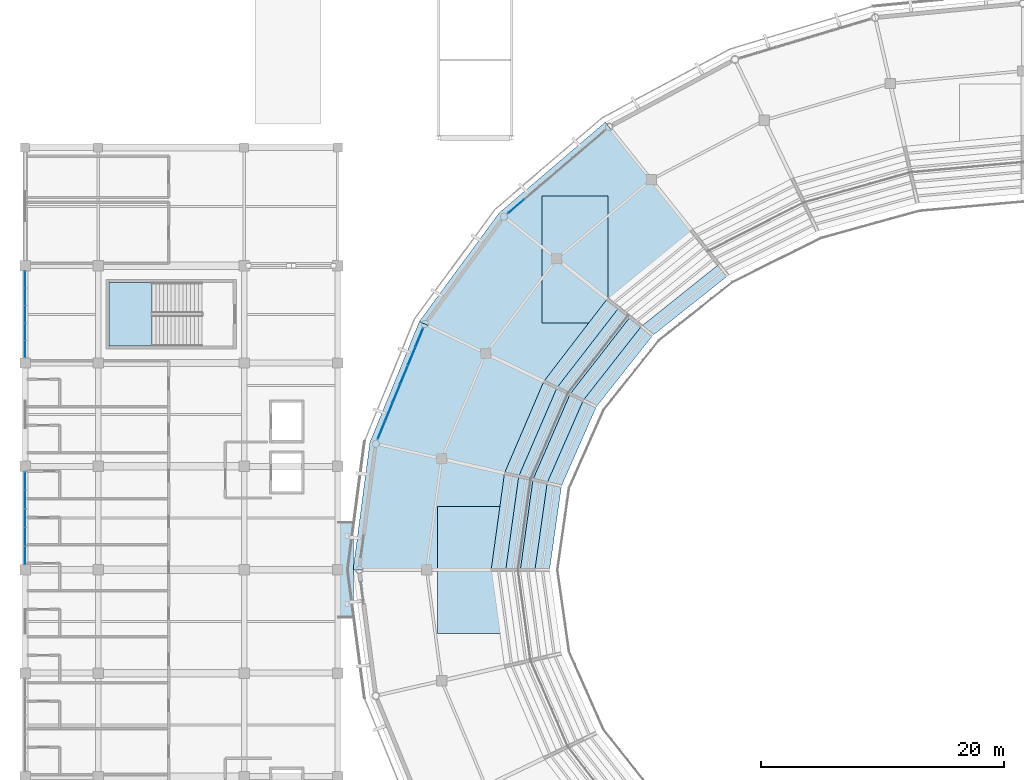
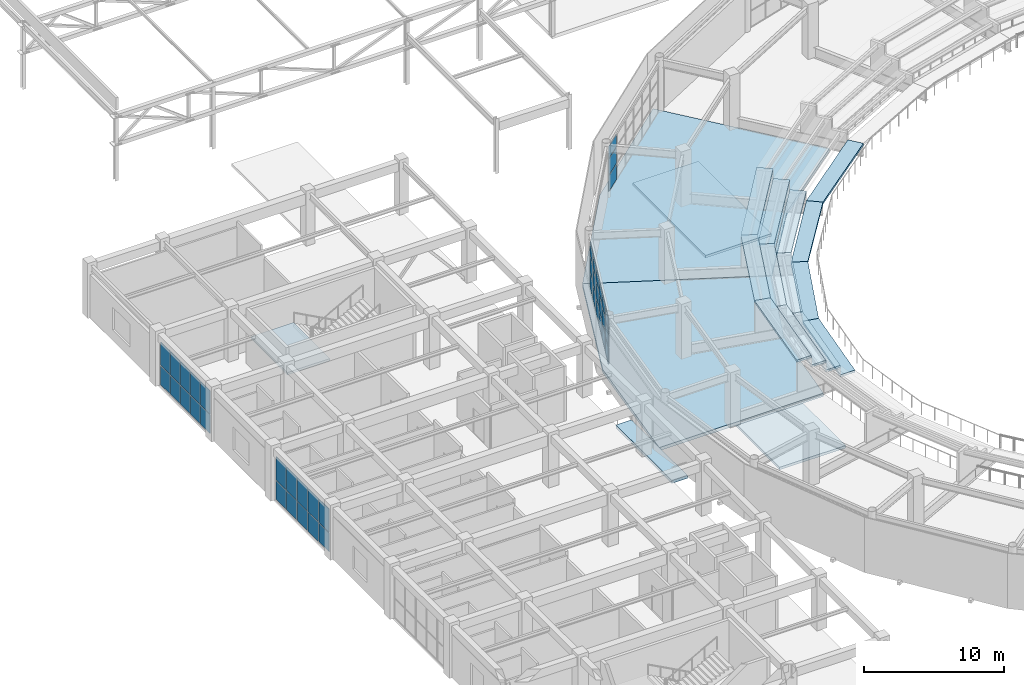
# One storey, part 83 of 122: 41 plates, 19 slabs, 5 elements without a shape of their own.
"""IFC4 building model written with IfcOpenShell, lengths in metres."""

from ifc_helpers import new_model, si_unit, direction, frame, origin, origin_2d, place, context, subcontext, project, spatial, polyline, rectangle, outline, extrude, material, layer, layer_set, type_object, element, aggregate, save


model = new_model("IFC4")

# Units and contexts
model_context = context("Model", 3, precision=1e-05, world=origin(), true_north=direction((0.0, 1.0)))
body_context = subcontext(model_context, "Body", "Model", "MODEL_VIEW")
ifc_project = project(units=[si_unit("LENGTHUNIT", "METRE"), si_unit("AREAUNIT", "SQUARE_METRE"), si_unit("VOLUMEUNIT", "CUBIC_METRE"), si_unit("PLANEANGLEUNIT", "RADIAN"), si_unit("MASSUNIT", "GRAM", prefix="KILO")], contexts=[model_context])

# Site, building, storey
site_placement = place(None, origin())
site = spatial("IfcSite", under=ifc_project, at=site_placement, CompositionType="ELEMENT")
building_placement = place(site_placement, origin())
building = spatial("IfcBuilding", under=site, at=building_placement, Name="Cuetzalor Civic Arena", CompositionType="ELEMENT")
storey_placement = place(building_placement, frame((0.0, 0.0, 16.199951171875)))
storey = spatial("IfcBuildingStorey", under=building, at=storey_placement, Name="L03", CompositionType="ELEMENT", Elevation=16.199951171875)

# Curtain wall, plates
ifc_material_1 = material(Name="Anodised dark bronze aluminium and low-E solar glass", Category="aluminium")
curtain_wall_type_1 = type_object("IfcCurtainWallType", Name="UnitisedCW_10550x4050", PredefinedType="USERDEFINED", material=ifc_material_1)
curtain_wall_1_placement = place(storey_placement, origin())
curtain_wall_1 = element("IfcCurtainWall", 1, at=curtain_wall_1_placement, inside=storey, type_object=curtain_wall_type_1, Name="Drum Triangle Foyer Curtain Wall L03-049", ObjectType="UNITISED CURTAIN WALL", PredefinedType="USERDEFINED")
ifc_material_2 = material(Name="Acoustic laminated solar control glass", Category="glass")
ifc_layer_1 = layer(ifc_material_2, 0.0439453125)
ifc_layer_set_1 = layer_set([ifc_layer_1], Name="Acoustic laminated solar control glass")
plate_type = type_object("IfcPlateType", Name="AcousticTripleGlazedPanel_44", PredefinedType="CURTAIN_PANEL", material=ifc_layer_set_1)
plate_1_placement = place(storey_placement, frame((-41.655517578125, 29.87109375, 0.06494140625), z_axis=(0.0, 0.0, 1.0), x_axis=(0.760677142663, 0.64913040649, 0.0)))
plate_1 = element("IfcPlate", 2, at=plate_1_placement, type_object=plate_type, Name="CW-16 panel 1.1", PredefinedType="CURTAIN_PANEL", context=body_context, shape_type="SweptSolid", body=[
    extrude(rectangle(XDim=1.65771484375, YDim=0.0439453125, at=origin_2d()), origin(), (0.0, 0.0, 1.0), 1.361572265625),
])
plate_2_placement = place(storey_placement, frame((-41.655517578125, 29.87109375, 1.491455078125), z_axis=(0.0, 0.0, 1.0), x_axis=(0.760677142663, 0.64913040649, 0.0)))
plate_2 = element("IfcPlate", 3, at=plate_2_placement, type_object=plate_type, Name="CW-16 panel 1.2", PredefinedType="CURTAIN_PANEL", context=body_context, shape_type="SweptSolid", body=[
    extrude(rectangle(XDim=1.65771484375, YDim=0.0439453125, at=origin_2d()), origin(), (0.0, 0.0, 1.0), 1.39404296875),
])
plate_3_placement = place(storey_placement, frame((-41.655517578125, 29.87109375, 2.950439453125), z_axis=(0.0, 0.0, 1.0), x_axis=(0.760677142663, 0.64913040649, 0.0)))
plate_3 = element("IfcPlate", 4, at=plate_3_placement, type_object=plate_type, Name="CW-16 panel 1.3", PredefinedType="CURTAIN_PANEL", context=body_context, shape_type="SweptSolid", body=[
    extrude(rectangle(XDim=1.65771484375, YDim=0.0439453125, at=origin_2d()), origin(), (0.0, 0.0, 1.0), 1.03759765625),
])
aggregate(curtain_wall_1, [plate_1, plate_2, plate_3])

ifc_material_3 = material(Name="Anodised dark bronze aluminium and low-E solar glass", Category="aluminium")
curtain_wall_type_2 = type_object("IfcCurtainWallType", Name="UnitisedCW_9850x4050", PredefinedType="USERDEFINED", material=ifc_material_3)
curtain_wall_2_placement = place(storey_placement, origin())
curtain_wall_2 = element("IfcCurtainWall", 5, at=curtain_wall_2_placement, inside=storey, type_object=curtain_wall_type_2, Name="Drum Triangle Foyer Curtain Wall L03-050", ObjectType="UNITISED CURTAIN WALL", PredefinedType="USERDEFINED")
plate_4_placement = place(storey_placement, frame((-52.719970703125, 11.486083984375, 0.06494140625), z_axis=(0.0, 0.0, 1.0), x_axis=(0.379391428583, 0.925236263836, 0.0)))
plate_4 = element("IfcPlate", 6, at=plate_4_placement, type_object=plate_type, Name="CW-17 panel 1.1", PredefinedType="CURTAIN_PANEL", context=body_context, shape_type="SweptSolid", body=[
    extrude(rectangle(XDim=1.548095703125, YDim=0.0439453125, at=origin_2d()), origin(), (0.0, 0.0, 1.0), 1.361572265625),
])
plate_5_placement = place(storey_placement, frame((-52.719970703125, 11.486083984375, 1.491455078125), z_axis=(0.0, 0.0, 1.0), x_axis=(0.379391428583, 0.925236263836, 0.0)))
plate_5 = element("IfcPlate", 7, at=plate_5_placement, type_object=plate_type, Name="CW-17 panel 1.2", PredefinedType="CURTAIN_PANEL", context=body_context, shape_type="SweptSolid", body=[
    extrude(rectangle(XDim=1.548095703125, YDim=0.0439453125, at=origin_2d()), origin(), (0.0, 0.0, 1.0), 1.39404296875),
])
plate_6_placement = place(storey_placement, frame((-52.719970703125, 11.486083984375, 2.950439453125), z_axis=(0.0, 0.0, 1.0), x_axis=(0.379391428583, 0.925236263836, 0.0)))
plate_6 = element("IfcPlate", 8, at=plate_6_placement, type_object=plate_type, Name="CW-17 panel 1.3", PredefinedType="CURTAIN_PANEL", context=body_context, shape_type="SweptSolid", body=[
    extrude(rectangle(XDim=1.548095703125, YDim=0.0439453125, at=origin_2d()), origin(), (0.0, 0.0, 1.0), 1.03759765625),
])
plate_7_placement = place(storey_placement, frame((-52.1015625, 12.993896484375, 0.06494140625), z_axis=(0.0, 0.0, 1.0), x_axis=(0.379391428583, 0.925236263836, 0.0)))
plate_7 = element("IfcPlate", 9, at=plate_7_placement, type_object=plate_type, Name="CW-17 panel 2.1", PredefinedType="CURTAIN_PANEL", context=body_context, shape_type="SweptSolid", body=[
    extrude(rectangle(XDim=1.580810546875, YDim=0.0439453125, at=origin_2d()), origin(), (0.0, 0.0, 1.0), 1.361572265625),
])
plate_8_placement = place(storey_placement, frame((-52.1015625, 12.993896484375, 1.491455078125), z_axis=(0.0, 0.0, 1.0), x_axis=(0.379391428583, 0.925236263836, 0.0)))
plate_8 = element("IfcPlate", 10, at=plate_8_placement, type_object=plate_type, Name="CW-17 panel 2.2", PredefinedType="CURTAIN_PANEL", context=body_context, shape_type="SweptSolid", body=[
    extrude(rectangle(XDim=1.580810546875, YDim=0.0439453125, at=origin_2d()), origin(), (0.0, 0.0, 1.0), 1.39404296875),
])
plate_9_placement = place(storey_placement, frame((-52.1015625, 12.993896484375, 2.950439453125), z_axis=(0.0, 0.0, 1.0), x_axis=(0.379391428583, 0.925236263836, 0.0)))
plate_9 = element("IfcPlate", 11, at=plate_9_placement, type_object=plate_type, Name="CW-17 panel 2.3", PredefinedType="CURTAIN_PANEL", context=body_context, shape_type="SweptSolid", body=[
    extrude(rectangle(XDim=1.580810546875, YDim=0.0439453125, at=origin_2d()), origin(), (0.0, 0.0, 1.0), 1.03759765625),
])
plate_10_placement = place(storey_placement, frame((-51.477294921875, 14.516357421875, 0.06494140625), z_axis=(0.0, 0.0, 1.0), x_axis=(0.379391428583, 0.925236263836, 0.0)))
plate_10 = element("IfcPlate", 12, at=plate_10_placement, type_object=plate_type, Name="CW-17 panel 3.1", PredefinedType="CURTAIN_PANEL", context=body_context, shape_type="SweptSolid", body=[
    extrude(rectangle(XDim=1.580810546875, YDim=0.0439453125, at=origin_2d()), origin(), (0.0, 0.0, 1.0), 1.361572265625),
])
plate_11_placement = place(storey_placement, frame((-51.477294921875, 14.516357421875, 1.491455078125), z_axis=(0.0, 0.0, 1.0), x_axis=(0.379391428583, 0.925236263836, 0.0)))
plate_11 = element("IfcPlate", 13, at=plate_11_placement, type_object=plate_type, Name="CW-17 panel 3.2", PredefinedType="CURTAIN_PANEL", context=body_context, shape_type="SweptSolid", body=[
    extrude(rectangle(XDim=1.580810546875, YDim=0.0439453125, at=origin_2d()), origin(), (0.0, 0.0, 1.0), 1.39404296875),
])
plate_12_placement = place(storey_placement, frame((-51.477294921875, 14.516357421875, 2.950439453125), z_axis=(0.0, 0.0, 1.0), x_axis=(0.379391428583, 0.925236263836, 0.0)))
plate_12 = element("IfcPlate", 14, at=plate_12_placement, type_object=plate_type, Name="CW-17 panel 3.3", PredefinedType="CURTAIN_PANEL", context=body_context, shape_type="SweptSolid", body=[
    extrude(rectangle(XDim=1.580810546875, YDim=0.0439453125, at=origin_2d()), origin(), (0.0, 0.0, 1.0), 1.03759765625),
])
plate_13_placement = place(storey_placement, frame((-50.85302734375, 16.0390625, 0.06494140625), z_axis=(0.0, 0.0, 1.0), x_axis=(0.379391428583, 0.925236263836, 0.0)))
plate_13 = element("IfcPlate", 15, at=plate_13_placement, type_object=plate_type, Name="CW-17 panel 4.1", PredefinedType="CURTAIN_PANEL", context=body_context, shape_type="SweptSolid", body=[
    extrude(rectangle(XDim=1.580810546875, YDim=0.0439453125, at=origin_2d()), origin(), (0.0, 0.0, 1.0), 1.361572265625),
])
plate_14_placement = place(storey_placement, frame((-50.85302734375, 16.0390625, 1.491455078125), z_axis=(0.0, 0.0, 1.0), x_axis=(0.379391428583, 0.925236263836, 0.0)))
plate_14 = element("IfcPlate", 16, at=plate_14_placement, type_object=plate_type, Name="CW-17 panel 4.2", PredefinedType="CURTAIN_PANEL", context=body_context, shape_type="SweptSolid", body=[
    extrude(rectangle(XDim=1.580810546875, YDim=0.0439453125, at=origin_2d()), origin(), (0.0, 0.0, 1.0), 1.39404296875),
])
plate_15_placement = place(storey_placement, frame((-50.85302734375, 16.0390625, 2.950439453125), z_axis=(0.0, 0.0, 1.0), x_axis=(0.379391428583, 0.925236263836, 0.0)))
plate_15 = element("IfcPlate", 17, at=plate_15_placement, type_object=plate_type, Name="CW-17 panel 4.3", PredefinedType="CURTAIN_PANEL", context=body_context, shape_type="SweptSolid", body=[
    extrude(rectangle(XDim=1.580810546875, YDim=0.0439453125, at=origin_2d()), origin(), (0.0, 0.0, 1.0), 1.03759765625),
])
plate_16_placement = place(storey_placement, frame((-50.228515625, 17.561767578125, 0.06494140625), z_axis=(0.0, 0.0, 1.0), x_axis=(0.379391428583, 0.925236263836, 0.0)))
plate_16 = element("IfcPlate", 18, at=plate_16_placement, type_object=plate_type, Name="CW-17 panel 5.1", PredefinedType="CURTAIN_PANEL", context=body_context, shape_type="SweptSolid", body=[
    extrude(rectangle(XDim=1.580810546875, YDim=0.0439453125, at=origin_2d()), origin(), (0.0, 0.0, 1.0), 1.361572265625),
])
plate_17_placement = place(storey_placement, frame((-50.228515625, 17.561767578125, 1.491455078125), z_axis=(0.0, 0.0, 1.0), x_axis=(0.379391428583, 0.925236263836, 0.0)))
plate_17 = element("IfcPlate", 19, at=plate_17_placement, type_object=plate_type, Name="CW-17 panel 5.2", PredefinedType="CURTAIN_PANEL", context=body_context, shape_type="SweptSolid", body=[
    extrude(rectangle(XDim=1.580810546875, YDim=0.0439453125, at=origin_2d()), origin(), (0.0, 0.0, 1.0), 1.39404296875),
])
plate_18_placement = place(storey_placement, frame((-50.228515625, 17.561767578125, 2.950439453125), z_axis=(0.0, 0.0, 1.0), x_axis=(0.379391428583, 0.925236263836, 0.0)))
plate_18 = element("IfcPlate", 20, at=plate_18_placement, type_object=plate_type, Name="CW-17 panel 5.3", PredefinedType="CURTAIN_PANEL", context=body_context, shape_type="SweptSolid", body=[
    extrude(rectangle(XDim=1.580810546875, YDim=0.0439453125, at=origin_2d()), origin(), (0.0, 0.0, 1.0), 1.03759765625),
])
plate_19_placement = place(storey_placement, frame((-49.6103515625, 19.0693359375, 0.06494140625), z_axis=(0.0, 0.0, 1.0), x_axis=(0.379391428583, 0.925236263836, 0.0)))
plate_19 = element("IfcPlate", 21, at=plate_19_placement, type_object=plate_type, Name="CW-17 panel 6.1", PredefinedType="CURTAIN_PANEL", context=body_context, shape_type="SweptSolid", body=[
    extrude(rectangle(XDim=1.548095703125, YDim=0.0439453125, at=origin_2d()), origin(), (0.0, 0.0, 1.0), 1.361572265625),
])
plate_20_placement = place(storey_placement, frame((-49.6103515625, 19.0693359375, 1.491455078125), z_axis=(0.0, 0.0, 1.0), x_axis=(0.379391428583, 0.925236263836, 0.0)))
plate_20 = element("IfcPlate", 22, at=plate_20_placement, type_object=plate_type, Name="CW-17 panel 6.2", PredefinedType="CURTAIN_PANEL", context=body_context, shape_type="SweptSolid", body=[
    extrude(rectangle(XDim=1.548095703125, YDim=0.0439453125, at=origin_2d()), origin(), (0.0, 0.0, 1.0), 1.39404296875),
])
plate_21_placement = place(storey_placement, frame((-49.6103515625, 19.0693359375, 2.950439453125), z_axis=(0.0, 0.0, 1.0), x_axis=(0.379391428583, 0.925236263836, 0.0)))
plate_21 = element("IfcPlate", 23, at=plate_21_placement, type_object=plate_type, Name="CW-17 panel 6.3", PredefinedType="CURTAIN_PANEL", context=body_context, shape_type="SweptSolid", body=[
    extrude(rectangle(XDim=1.548095703125, YDim=0.0439453125, at=origin_2d()), origin(), (0.0, 0.0, 1.0), 1.03759765625),
])
aggregate(curtain_wall_2, [plate_4, plate_5, plate_6, plate_7, plate_8, plate_9, plate_10, plate_11, plate_12, plate_13, plate_14, plate_15, plate_16, plate_17, plate_18, plate_19, plate_20, plate_21])

ifc_material_4 = material(Name="Anodised dark bronze aluminium and low-E solar glass", Category="aluminium")
curtain_wall_type_3 = type_object("IfcCurtainWallType", Name="UnitisedCW_7700x3850", PredefinedType="USERDEFINED", material=ifc_material_4)
curtain_wall_3_placement = place(storey_placement, origin())
curtain_wall_3 = element("IfcCurtainWall", 24, at=curtain_wall_3_placement, inside=storey, type_object=curtain_wall_type_3, Name="V4W Suite Viewing Curtain Wall L03-121", ObjectType="UNITISED CURTAIN WALL", PredefinedType="USERDEFINED")
plate_22_placement = place(storey_placement, frame((-82.0, 1.19189453125, 0.06494140625), z_axis=(0.0, 0.0, 1.0), x_axis=(0.0, 1.0, 0.0)))
plate_22 = element("IfcPlate", 25, at=plate_22_placement, type_object=plate_type, Name="CW-42 panel 1.1", PredefinedType="CURTAIN_PANEL", context=body_context, shape_type="SweptSolid", body=[
    extrude(rectangle(XDim=1.439697265625, YDim=0.0439453125, at=origin_2d()), origin(), (0.0, 0.0, 1.0), 1.639404296875),
])
plate_23_placement = place(storey_placement, frame((-82.0, 1.19189453125, 1.76953125), z_axis=(0.0, 0.0, 1.0), x_axis=(0.0, 1.0, 0.0)))
plate_23 = element("IfcPlate", 26, at=plate_23_placement, type_object=plate_type, Name="CW-42 panel 1.2", PredefinedType="CURTAIN_PANEL", context=body_context, shape_type="SweptSolid", body=[
    extrude(rectangle(XDim=1.439697265625, YDim=0.0439453125, at=origin_2d()), origin(), (0.0, 0.0, 1.0), 2.025390625),
])
plate_24_placement = place(storey_placement, frame((-82.0, 2.712890625, 0.06494140625), z_axis=(0.0, 0.0, 1.0), x_axis=(0.0, 1.0, 0.0)))
plate_24 = element("IfcPlate", 27, at=plate_24_placement, type_object=plate_type, Name="CW-42 panel 2.1", PredefinedType="CURTAIN_PANEL", context=body_context, shape_type="SweptSolid", body=[
    extrude(rectangle(XDim=1.47216796875, YDim=0.0439453125, at=origin_2d()), origin(), (0.0, 0.0, 1.0), 1.639404296875),
])
plate_25_placement = place(storey_placement, frame((-82.0, 2.712890625, 1.76953125), z_axis=(0.0, 0.0, 1.0), x_axis=(0.0, 1.0, 0.0)))
plate_25 = element("IfcPlate", 28, at=plate_25_placement, type_object=plate_type, Name="CW-42 panel 2.2", PredefinedType="CURTAIN_PANEL", context=body_context, shape_type="SweptSolid", body=[
    extrude(rectangle(XDim=1.47216796875, YDim=0.0439453125, at=origin_2d()), origin(), (0.0, 0.0, 1.0), 2.025390625),
])
plate_26_placement = place(storey_placement, frame((-82.0, 4.25, 0.06494140625), z_axis=(0.0, 0.0, 1.0), x_axis=(0.0, 1.0, 0.0)))
plate_26 = element("IfcPlate", 29, at=plate_26_placement, type_object=plate_type, Name="CW-42 panel 3.1", PredefinedType="CURTAIN_PANEL", context=body_context, shape_type="SweptSolid", body=[
    extrude(rectangle(XDim=1.47216796875, YDim=0.0439453125, at=origin_2d()), origin(), (0.0, 0.0, 1.0), 1.639404296875),
])
plate_27_placement = place(storey_placement, frame((-82.0, 4.25, 1.76953125), z_axis=(0.0, 0.0, 1.0), x_axis=(0.0, 1.0, 0.0)))
plate_27 = element("IfcPlate", 30, at=plate_27_placement, type_object=plate_type, Name="CW-42 panel 3.2", PredefinedType="CURTAIN_PANEL", context=body_context, shape_type="SweptSolid", body=[
    extrude(rectangle(XDim=1.47216796875, YDim=0.0439453125, at=origin_2d()), origin(), (0.0, 0.0, 1.0), 2.025390625),
])
plate_28_placement = place(storey_placement, frame((-82.0, 5.787109375, 0.06494140625), z_axis=(0.0, 0.0, 1.0), x_axis=(0.0, 1.0, 0.0)))
plate_28 = element("IfcPlate", 31, at=plate_28_placement, type_object=plate_type, Name="CW-42 panel 4.1", PredefinedType="CURTAIN_PANEL", context=body_context, shape_type="SweptSolid", body=[
    extrude(rectangle(XDim=1.47216796875, YDim=0.0439453125, at=origin_2d()), origin(), (0.0, 0.0, 1.0), 1.639404296875),
])
plate_29_placement = place(storey_placement, frame((-82.0, 5.787109375, 1.76953125), z_axis=(0.0, 0.0, 1.0), x_axis=(0.0, 1.0, 0.0)))
plate_29 = element("IfcPlate", 32, at=plate_29_placement, type_object=plate_type, Name="CW-42 panel 4.2", PredefinedType="CURTAIN_PANEL", context=body_context, shape_type="SweptSolid", body=[
    extrude(rectangle(XDim=1.47216796875, YDim=0.0439453125, at=origin_2d()), origin(), (0.0, 0.0, 1.0), 2.025390625),
])
plate_30_placement = place(storey_placement, frame((-82.0, 7.30810546875, 0.06494140625), z_axis=(0.0, 0.0, 1.0), x_axis=(0.0, 1.0, 0.0)))
plate_30 = element("IfcPlate", 33, at=plate_30_placement, type_object=plate_type, Name="CW-42 panel 5.1", PredefinedType="CURTAIN_PANEL", context=body_context, shape_type="SweptSolid", body=[
    extrude(rectangle(XDim=1.439697265625, YDim=0.0439453125, at=origin_2d()), origin(), (0.0, 0.0, 1.0), 1.639404296875),
])
plate_31_placement = place(storey_placement, frame((-82.0, 7.30810546875, 1.76953125), z_axis=(0.0, 0.0, 1.0), x_axis=(0.0, 1.0, 0.0)))
plate_31 = element("IfcPlate", 34, at=plate_31_placement, type_object=plate_type, Name="CW-42 panel 5.2", PredefinedType="CURTAIN_PANEL", context=body_context, shape_type="SweptSolid", body=[
    extrude(rectangle(XDim=1.439697265625, YDim=0.0439453125, at=origin_2d()), origin(), (0.0, 0.0, 1.0), 2.025390625),
])
aggregate(curtain_wall_3, [plate_22, plate_23, plate_24, plate_25, plate_26, plate_27, plate_28, plate_29, plate_30, plate_31])

ifc_material_5 = material(Name="Anodised dark bronze aluminium and low-E solar glass", Category="aluminium")
curtain_wall_type_4 = type_object("IfcCurtainWallType", Name="UnitisedCW_7200x3850", PredefinedType="USERDEFINED", material=ifc_material_5)
curtain_wall_4_placement = place(storey_placement, origin())
curtain_wall_4 = element("IfcCurtainWall", 35, at=curtain_wall_4_placement, inside=storey, type_object=curtain_wall_type_4, Name="V4W Suite Viewing Curtain Wall L03-122", ObjectType="UNITISED CURTAIN WALL", PredefinedType="USERDEFINED")
plate_32_placement = place(storey_placement, frame((-82.0, 18.141845703125, 0.06494140625), z_axis=(0.0, 0.0, 1.0), x_axis=(0.0, 1.0, 0.0)))
plate_32 = element("IfcPlate", 36, at=plate_32_placement, type_object=plate_type, Name="CW-41 panel 1.1", PredefinedType="CURTAIN_PANEL", context=body_context, shape_type="SweptSolid", body=[
    extrude(rectangle(XDim=1.339599609375, YDim=0.0439453125, at=origin_2d()), origin(), (0.0, 0.0, 1.0), 1.639404296875),
])
plate_33_placement = place(storey_placement, frame((-82.0, 18.141845703125, 1.76953125), z_axis=(0.0, 0.0, 1.0), x_axis=(0.0, 1.0, 0.0)))
plate_33 = element("IfcPlate", 37, at=plate_33_placement, type_object=plate_type, Name="CW-41 panel 1.2", PredefinedType="CURTAIN_PANEL", context=body_context, shape_type="SweptSolid", body=[
    extrude(rectangle(XDim=1.339599609375, YDim=0.0439453125, at=origin_2d()), origin(), (0.0, 0.0, 1.0), 2.025390625),
])
plate_34_placement = place(storey_placement, frame((-82.0, 19.562744140625, 0.06494140625), z_axis=(0.0, 0.0, 1.0), x_axis=(0.0, 1.0, 0.0)))
plate_34 = element("IfcPlate", 38, at=plate_34_placement, type_object=plate_type, Name="CW-41 panel 2.1", PredefinedType="CURTAIN_PANEL", context=body_context, shape_type="SweptSolid", body=[
    extrude(rectangle(XDim=1.372314453125, YDim=0.0439453125, at=origin_2d()), origin(), (0.0, 0.0, 1.0), 1.639404296875),
])
plate_35_placement = place(storey_placement, frame((-82.0, 19.562744140625, 1.76953125), z_axis=(0.0, 0.0, 1.0), x_axis=(0.0, 1.0, 0.0)))
plate_35 = element("IfcPlate", 39, at=plate_35_placement, type_object=plate_type, Name="CW-41 panel 2.2", PredefinedType="CURTAIN_PANEL", context=body_context, shape_type="SweptSolid", body=[
    extrude(rectangle(XDim=1.372314453125, YDim=0.0439453125, at=origin_2d()), origin(), (0.0, 0.0, 1.0), 2.025390625),
])
plate_36_placement = place(storey_placement, frame((-82.0, 21.0, 0.06494140625), z_axis=(0.0, 0.0, 1.0), x_axis=(0.0, 1.0, 0.0)))
plate_36 = element("IfcPlate", 40, at=plate_36_placement, type_object=plate_type, Name="CW-41 panel 3.1", PredefinedType="CURTAIN_PANEL", context=body_context, shape_type="SweptSolid", body=[
    extrude(rectangle(XDim=1.372314453125, YDim=0.0439453125, at=origin_2d()), origin(), (0.0, 0.0, 1.0), 1.639404296875),
])
plate_37_placement = place(storey_placement, frame((-82.0, 21.0, 1.76953125), z_axis=(0.0, 0.0, 1.0), x_axis=(0.0, 1.0, 0.0)))
plate_37 = element("IfcPlate", 41, at=plate_37_placement, type_object=plate_type, Name="CW-41 panel 3.2", PredefinedType="CURTAIN_PANEL", context=body_context, shape_type="SweptSolid", body=[
    extrude(rectangle(XDim=1.372314453125, YDim=0.0439453125, at=origin_2d()), origin(), (0.0, 0.0, 1.0), 2.025390625),
])
plate_38_placement = place(storey_placement, frame((-82.0, 22.437255859375, 0.06494140625), z_axis=(0.0, 0.0, 1.0), x_axis=(0.0, 1.0, 0.0)))
plate_38 = element("IfcPlate", 42, at=plate_38_placement, type_object=plate_type, Name="CW-41 panel 4.1", PredefinedType="CURTAIN_PANEL", context=body_context, shape_type="SweptSolid", body=[
    extrude(rectangle(XDim=1.372314453125, YDim=0.0439453125, at=origin_2d()), origin(), (0.0, 0.0, 1.0), 1.639404296875),
])
plate_39_placement = place(storey_placement, frame((-82.0, 22.437255859375, 1.76953125), z_axis=(0.0, 0.0, 1.0), x_axis=(0.0, 1.0, 0.0)))
plate_39 = element("IfcPlate", 43, at=plate_39_placement, type_object=plate_type, Name="CW-41 panel 4.2", PredefinedType="CURTAIN_PANEL", context=body_context, shape_type="SweptSolid", body=[
    extrude(rectangle(XDim=1.372314453125, YDim=0.0439453125, at=origin_2d()), origin(), (0.0, 0.0, 1.0), 2.025390625),
])
plate_40_placement = place(storey_placement, frame((-82.0, 23.858154296875, 0.06494140625), z_axis=(0.0, 0.0, 1.0), x_axis=(0.0, 1.0, 0.0)))
plate_40 = element("IfcPlate", 44, at=plate_40_placement, type_object=plate_type, Name="CW-41 panel 5.1", PredefinedType="CURTAIN_PANEL", context=body_context, shape_type="SweptSolid", body=[
    extrude(rectangle(XDim=1.339599609375, YDim=0.0439453125, at=origin_2d()), origin(), (0.0, 0.0, 1.0), 1.639404296875),
])
plate_41_placement = place(storey_placement, frame((-82.0, 23.858154296875, 1.76953125), z_axis=(0.0, 0.0, 1.0), x_axis=(0.0, 1.0, 0.0)))
plate_41 = element("IfcPlate", 45, at=plate_41_placement, type_object=plate_type, Name="CW-41 panel 5.2", PredefinedType="CURTAIN_PANEL", context=body_context, shape_type="SweptSolid", body=[
    extrude(rectangle(XDim=1.339599609375, YDim=0.0439453125, at=origin_2d()), origin(), (0.0, 0.0, 1.0), 2.025390625),
])
aggregate(curtain_wall_4, [plate_32, plate_33, plate_34, plate_35, plate_36, plate_37, plate_38, plate_39, plate_40, plate_41])

# Slabs
ifc_material_6 = material(Name="Concrete C40/50", Category="concrete")
ifc_layer_2 = layer(ifc_material_6, 0.260009765625)
ifc_layer_set_2 = layer_set([ifc_layer_2], Name="Concrete C40/50")
slab_type_1 = type_object("IfcSlabType", Name="BridgeDeckSlab_260", PredefinedType="FLOOR", material=ifc_layer_set_2)
slab_1_placement = place(storey_placement, frame((0.0, 0.0, -0.260009765625)))
element("IfcSlab", 46, at=slab_1_placement, inside=storey, type_object=slab_type_1, Name="Seismic Joint Circulation Bridge V4W L03", PredefinedType="FLOOR", context=body_context, shape_type="SweptSolid", body=[
    extrude(outline(polyline([(-56.320068359375, -4.0), (-55.030029296875, -4.0), (-55.030029296875, 4.0), (-56.320068359375, 4.0), (-56.320068359375, -4.0)])), origin(), (0.0, 0.0, 1.0), 0.260009765625),
])
ifc_material_7 = material(Name="Concrete C40/50", Category="concrete")
ifc_layer_3 = layer(ifc_material_7, 0.219970703125)
ifc_layer_set_3 = layer_set([ifc_layer_3], Name="Concrete C40/50")
slab_type_2 = type_object("IfcSlabType", Name="LiftShaftRoofCapSlab_220", PredefinedType="ROOF", material=ifc_layer_set_3)
slab_2_placement = place(storey_placement, frame((0.0, 0.0, -1.199951171875)))
element("IfcSlab", 47, at=slab_2_placement, inside=storey, type_object=slab_type_2, Name="Stair Core Enclosure Cap Slab ST-04", PredefinedType="ROOF", context=body_context, shape_type="SweptSolid", body=[
    extrude(outline(polyline([(-39.52001953125, 20.280029296875), (-34.080078125, 20.280029296875), (-34.080078125, 30.719970703125), (-39.52001953125, 30.719970703125), (-39.52001953125, 20.280029296875)])), origin(), (0.0, 0.0, 1.0), 0.219970703125),
])
slab_3_placement = place(storey_placement, frame((0.0, 0.0, -1.199951171875)))
element("IfcSlab", 48, at=slab_3_placement, inside=storey, type_object=slab_type_2, Name="Stair Core Enclosure Cap Slab ST-05", PredefinedType="ROOF", context=body_context, shape_type="SweptSolid", body=[
    extrude(outline(polyline([(-48.1201171875, -5.219970703125), (-42.679931640625, -5.219970703125), (-42.679931640625, 5.219970703125), (-48.1201171875, 5.219970703125), (-48.1201171875, -5.219970703125)])), origin(), (0.0, 0.0, 1.0), 0.219970703125),
])

# Stair, slab
ifc_material_8 = material(Name="Precast concrete C40/50", Category="concrete")
stair_type = type_object("IfcStairType", Name="EnclosedExitStair_H480", PredefinedType="HALF_TURN_STAIR", material=ifc_material_8)
stair_placement = place(storey_placement, origin())
stair = element("IfcStair", 49, at=stair_placement, inside=storey, type_object=stair_type, Name="L03 Enclosed Exit Stair ST-17", PredefinedType="HALF_TURN_STAIR")
ifc_material_9 = material(Name="Concrete C40/50", Category="concrete")
ifc_layer_4 = layer(ifc_material_9, 0.199951171875)
ifc_layer_set_4 = layer_set([ifc_layer_4], Name="Concrete C40/50")
slab_type_3 = type_object("IfcSlabType", Name="StairHalfLandingSlab_200", PredefinedType="LANDING", material=ifc_layer_set_4)
slab_4_placement = place(storey_placement, frame((0.0, 0.0, 2.199951171875)))
slab_4 = element("IfcSlab", 50, at=slab_4_placement, type_object=slab_type_3, Name="ST-17 landing 1", PredefinedType="LANDING", context=body_context, shape_type="SweptSolid", body=[
    extrude(outline(polyline([(-71.583984375, 23.60009765625), (-75.10009765625, 23.60009765625), (-75.10009765625, 18.39990234375), (-71.583984375, 18.39990234375), (-71.583984375, 23.60009765625)])), origin(), (0.0, 0.0, 1.0), 0.2001953125),
])
aggregate(stair, [slab_4])

# Slabs
ifc_material_10 = material(Name="Concrete C35/45", Category="concrete")
ifc_layer_5 = layer(ifc_material_10, 0.280029296875)
ifc_layer_set_5 = layer_set([ifc_layer_5], Name="Concrete C35/45")
slab_type_4 = type_object("IfcSlabType", Name="SuspendedFloorSlab_280", PredefinedType="FLOOR", material=ifc_layer_set_5)
slab_5_placement = place(storey_placement, frame((0.0, 0.0, -0.280029296875)))
element("IfcSlab", 51, at=slab_5_placement, inside=storey, type_object=slab_type_4, Name="Arena Concourse Sector Slab L03-06", PredefinedType="FLOOR", context=body_context, shape_type="SweptSolid", body=[
    extrude(outline(polyline([(-25.874755859375, 26.19140625), (-32.446044921875, 20.886962890625), (-37.39013671875, 14.53515625), (-49.598388671875, 20.414306640625), (-43.039794921875, 29.335205078125), (-34.322998046875, 36.78515625), (-25.874755859375, 26.19140625)])), origin(), (0.0, 0.0, 1.0), 0.280029296875),
])
slab_6_placement = place(storey_placement, frame((0.0, 0.0, -0.280029296875)))
element("IfcSlab", 52, at=slab_6_placement, inside=storey, type_object=slab_type_4, Name="Arena Concourse Sector Slab L03-07", PredefinedType="FLOOR", context=body_context, shape_type="SweptSolid", body=[
    extrude(outline(polyline([(-37.39013671875, 14.53515625), (-40.45947265625, 7.45458984375), (-41.5, 0.0), (-55.050048828125, 0.0), (-53.669921875, 10.469482421875), (-49.598388671875, 20.414306640625), (-37.39013671875, 14.53515625)])), origin(), (0.0, 0.0, 1.0), 0.280029296875),
])
ifc_material_11 = material(Name="Precast concrete C45/55", Category="concrete")
ifc_layer_6 = layer(ifc_material_11, 0.195068359375)
ifc_layer_set_6 = layer_set([ifc_layer_6], Name="Precast concrete C45/55")
slab_type_5 = type_object("IfcSlabType", Name="UpperBowlSeatingTier_160", PredefinedType="USERDEFINED", material=ifc_layer_set_6)
slab_7_placement = place(storey_placement, frame((0.0, 0.0, 0.9111328125)))
element("IfcSlab", 53, at=slab_7_placement, inside=storey, type_object=slab_type_5, Name="Stand Upper Tier Bay 11 Row 1", ObjectType="SEATING TIER", PredefinedType="USERDEFINED", context=body_context, shape_type="SweptSolid", body=[
    extrude(outline(polyline([(-24.25390625, 24.15869140625), (-30.4130859375, 19.265869140625), (-31.351318359375, 20.013916015625), (-25.001953125, 25.0966796875), (-24.25390625, 24.15869140625)])), origin(), (0.0, 0.0, 1.0), 0.19482421875),
])
slab_8_placement = place(storey_placement, frame((0.0, 0.0, 0.9111328125)))
element("IfcSlab", 54, at=slab_8_placement, inside=storey, type_object=slab_type_5, Name="Stand Upper Tier Bay 12 Row 1", ObjectType="SEATING TIER", PredefinedType="USERDEFINED", context=body_context, shape_type="SweptSolid", body=[
    extrude(outline(polyline([(-30.4130859375, 19.265869140625), (-35.047607421875, 13.406982421875), (-36.12890625, 13.927734375), (-31.351318359375, 20.013916015625), (-30.4130859375, 19.265869140625)])), origin(), (0.0, 0.0, 1.0), 0.19482421875),
])
slab_9_placement = place(storey_placement, frame((0.0, 0.0, 1.755126953125)))
element("IfcSlab", 55, at=slab_9_placement, inside=storey, type_object=slab_type_5, Name="Stand Upper Tier Bay 12 Row 2", ObjectType="SEATING TIER", PredefinedType="USERDEFINED", context=body_context, shape_type="SweptSolid", body=[
    extrude(outline(polyline([(-31.351318359375, 20.013916015625), (-36.12890625, 13.927734375), (-37.2099609375, 14.4482421875), (-32.28955078125, 20.76220703125), (-31.351318359375, 20.013916015625)])), origin(), (0.0, 0.0, 1.0), 0.19482421875),
])
slab_10_placement = place(storey_placement, frame((0.0, 0.0, 2.60498046875)))
element("IfcSlab", 56, at=slab_10_placement, inside=storey, type_object=slab_type_5, Name="Stand Upper Tier Bay 12 Row 3", ObjectType="SEATING TIER", PredefinedType="USERDEFINED", context=body_context, shape_type="SweptSolid", body=[
    extrude(outline(polyline([(-32.28955078125, 20.76220703125), (-37.2099609375, 14.4482421875), (-38.291259765625, 14.968994140625), (-33.227783203125, 21.510498046875), (-32.28955078125, 20.76220703125)])), origin(), (0.0, 0.0, 1.0), 0.195068359375),
])
slab_11_placement = place(storey_placement, frame((0.0, 0.0, 3.455078125)))
element("IfcSlab", 57, at=slab_11_placement, inside=storey, type_object=slab_type_5, Name="Stand Upper Tier Bay 12 Row 4", ObjectType="SEATING TIER", PredefinedType="USERDEFINED", context=body_context, shape_type="SweptSolid", body=[
    extrude(outline(polyline([(-33.227783203125, 21.510498046875), (-38.291259765625, 14.968994140625), (-39.372314453125, 15.489501953125), (-34.166015625, 22.258544921875), (-33.227783203125, 21.510498046875)])), origin(), (0.0, 0.0, 1.0), 0.195068359375),
])
slab_12_placement = place(storey_placement, frame((0.0, 0.0, 0.9111328125)))
element("IfcSlab", 58, at=slab_12_placement, inside=storey, type_object=slab_type_5, Name="Stand Upper Tier Bay 13 Row 1", ObjectType="SEATING TIER", PredefinedType="USERDEFINED", context=body_context, shape_type="SweptSolid", body=[
    extrude(outline(polyline([(-35.047607421875, 13.406982421875), (-37.9248046875, 6.8759765625), (-39.094482421875, 7.142822265625), (-36.12890625, 13.927734375), (-35.047607421875, 13.406982421875)])), origin(), (0.0, 0.0, 1.0), 0.19482421875),
])
slab_13_placement = place(storey_placement, frame((0.0, 0.0, 1.755126953125)))
element("IfcSlab", 59, at=slab_13_placement, inside=storey, type_object=slab_type_5, Name="Stand Upper Tier Bay 13 Row 2", ObjectType="SEATING TIER", PredefinedType="USERDEFINED", context=body_context, shape_type="SweptSolid", body=[
    extrude(outline(polyline([(-36.12890625, 13.927734375), (-39.094482421875, 7.142822265625), (-40.264404296875, 7.409912109375), (-37.2099609375, 14.4482421875), (-36.12890625, 13.927734375)])), origin(), (0.0, 0.0, 1.0), 0.19482421875),
])
slab_14_placement = place(storey_placement, frame((0.0, 0.0, 2.60498046875)))
element("IfcSlab", 60, at=slab_14_placement, inside=storey, type_object=slab_type_5, Name="Stand Upper Tier Bay 13 Row 3", ObjectType="SEATING TIER", PredefinedType="USERDEFINED", context=body_context, shape_type="SweptSolid", body=[
    extrude(outline(polyline([(-37.2099609375, 14.4482421875), (-40.264404296875, 7.409912109375), (-41.434326171875, 7.677001953125), (-38.291259765625, 14.968994140625), (-37.2099609375, 14.4482421875)])), origin(), (0.0, 0.0, 1.0), 0.195068359375),
])
slab_15_placement = place(storey_placement, frame((0.0, 0.0, 3.455078125)))
element("IfcSlab", 61, at=slab_15_placement, inside=storey, type_object=slab_type_5, Name="Stand Upper Tier Bay 13 Row 4", ObjectType="SEATING TIER", PredefinedType="USERDEFINED", context=body_context, shape_type="SweptSolid", body=[
    extrude(outline(polyline([(-38.291259765625, 14.968994140625), (-41.434326171875, 7.677001953125), (-42.604248046875, 7.944091796875), (-39.372314453125, 15.489501953125), (-38.291259765625, 14.968994140625)])), origin(), (0.0, 0.0, 1.0), 0.195068359375),
])
slab_16_placement = place(storey_placement, frame((0.0, 0.0, 0.9111328125)))
element("IfcSlab", 62, at=slab_16_placement, inside=storey, type_object=slab_type_5, Name="Stand Upper Tier Bay 14 Row 1", ObjectType="SEATING TIER", PredefinedType="USERDEFINED", context=body_context, shape_type="SweptSolid", body=[
    extrude(outline(polyline([(-37.9248046875, 6.8759765625), (-38.89990234375, 0.0), (-40.10009765625, 0.0), (-39.094482421875, 7.142822265625), (-37.9248046875, 6.8759765625)])), origin(), (0.0, 0.0, 1.0), 0.19482421875),
])
slab_17_placement = place(storey_placement, frame((0.0, 0.0, 1.755126953125)))
element("IfcSlab", 63, at=slab_17_placement, inside=storey, type_object=slab_type_5, Name="Stand Upper Tier Bay 14 Row 2", ObjectType="SEATING TIER", PredefinedType="USERDEFINED", context=body_context, shape_type="SweptSolid", body=[
    extrude(outline(polyline([(-39.094482421875, 7.142822265625), (-40.10009765625, 0.0), (-41.300048828125, 0.0), (-40.264404296875, 7.409912109375), (-39.094482421875, 7.142822265625)])), origin(), (0.0, 0.0, 1.0), 0.19482421875),
])
slab_18_placement = place(storey_placement, frame((0.0, 0.0, 2.60498046875)))
element("IfcSlab", 64, at=slab_18_placement, inside=storey, type_object=slab_type_5, Name="Stand Upper Tier Bay 14 Row 3", ObjectType="SEATING TIER", PredefinedType="USERDEFINED", context=body_context, shape_type="SweptSolid", body=[
    extrude(outline(polyline([(-40.264404296875, 7.409912109375), (-41.300048828125, 0.0), (-42.5, 0.0), (-41.434326171875, 7.677001953125), (-40.264404296875, 7.409912109375)])), origin(), (0.0, 0.0, 1.0), 0.195068359375),
])
slab_19_placement = place(storey_placement, frame((0.0, 0.0, 3.455078125)))
element("IfcSlab", 65, at=slab_19_placement, inside=storey, type_object=slab_type_5, Name="Stand Upper Tier Bay 14 Row 4", ObjectType="SEATING TIER", PredefinedType="USERDEFINED", context=body_context, shape_type="SweptSolid", body=[
    extrude(outline(polyline([(-41.434326171875, 7.677001953125), (-42.5, 0.0), (-43.699951171875, 0.0), (-42.604248046875, 7.944091796875), (-41.434326171875, 7.677001953125)])), origin(), (0.0, 0.0, 1.0), 0.195068359375),
])

save(model, "model.ifc")
